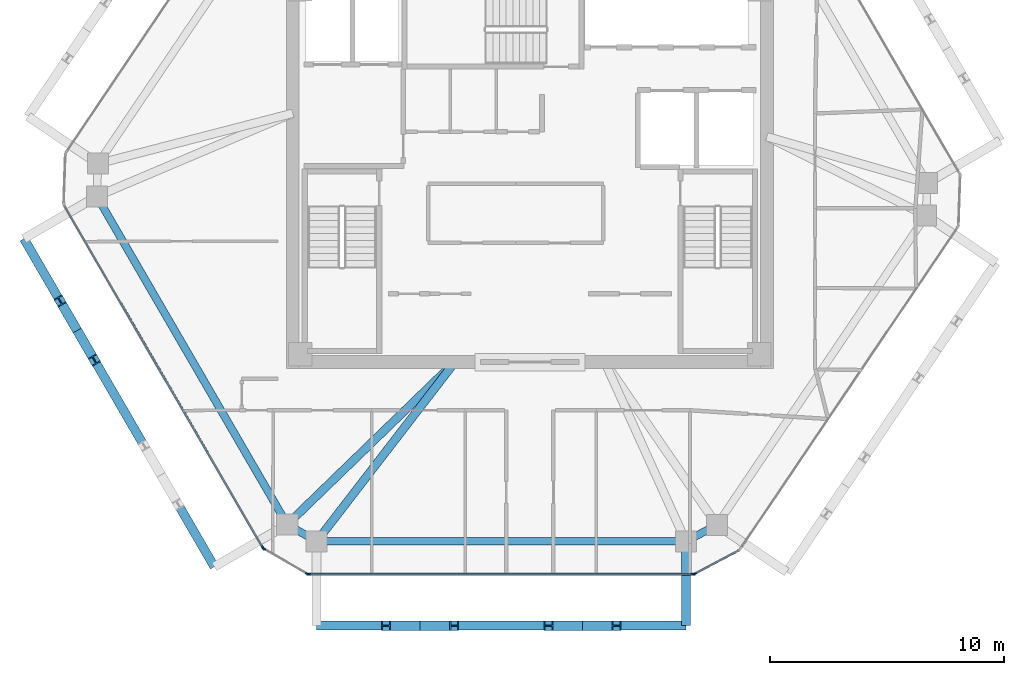
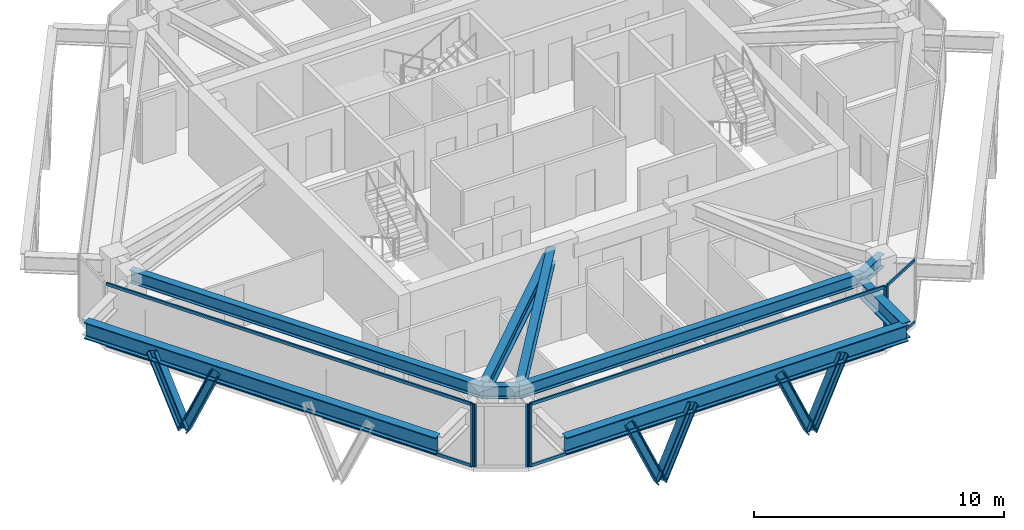
# One storey, part 2 of 11: 18 members, 9 beams, 4 elements without a shape of their own.
"""IFC4 building model written with IfcOpenShell, lengths in metres."""

from ifc_helpers import new_model, si_unit, direction, frame, origin, origin_2d, place, context, subcontext, project, spatial, rectangle, i_section, extrude, source, transform, mapped, material, layer, layer_set, material_profile, profile_set, type_object, type_shapes, element, aggregate, save


model = new_model("IFC4")

# Units and contexts
model_context = context("Model", 3, precision=1e-05, world=origin(), true_north=direction((0.0, 1.0)))
body_context = subcontext(model_context, "Body", "Model", "MODEL_VIEW")
ifc_project = project(units=[si_unit("LENGTHUNIT", "METRE"), si_unit("AREAUNIT", "SQUARE_METRE"), si_unit("VOLUMEUNIT", "CUBIC_METRE"), si_unit("PLANEANGLEUNIT", "RADIAN"), si_unit("MASSUNIT", "GRAM", prefix="KILO")], contexts=[model_context])

# Site, building, storey
site_placement = place(None, origin())
site = spatial("IfcSite", under=ifc_project, at=site_placement, CompositionType="ELEMENT")
building_placement = place(site_placement, origin())
building = spatial("IfcBuilding", under=site, at=building_placement, Name="Durnholm Broadcast Tower", CompositionType="ELEMENT")
storey_placement = place(building_placement, frame((0.0, 0.0, 244.699951171875)))
storey = spatial("IfcBuildingStorey", under=building, at=storey_placement, Name="L68", CompositionType="ELEMENT", Elevation=244.699951171875)

# Beams
ifc_material_1 = material(Name="Steel ASTM A992 Grade 50", Category="steel")
ifc_material_profile_1 = material_profile(ifc_material_1, i_section(OverallWidth=0.385009765625, OverallDepth=0.802978515625, WebThickness=0.023681640625, FlangeThickness=0.0419921875, FilletRadius=0.032958984375, at=origin_2d()), Name="W30X261")
ifc_profile_set_1 = profile_set([ifc_material_profile_1], Name="Steel ASTM A992 Grade 50")
beam_type_1 = type_object("IfcBeamType", Name="BM-EXO-TIE", PredefinedType="USERDEFINED", material=ifc_profile_set_1)
shared_shape_1 = source(origin(), body_context, "Body", "SweptSolid", [
    extrude(i_section(OverallWidth=0.385009765625, OverallDepth=0.802978515625, WebThickness=0.023681640625, FlangeThickness=0.0419921875, FilletRadius=0.032958984375, at=origin_2d()), origin(), (0.0, 0.0, 1.0), 3.4560546875),
])
beam_1_placement = place(storey_placement, frame((6.663818359375, -15.929931640625, 2.30859375), z_axis=(0.0, -1.0, 0.0), x_axis=(1.0, 0.0, 0.0)))
element("IfcBeam", 1, at=beam_1_placement, inside=storey, type_object=beam_type_1, Name="L68 exoskeleton stand-off tie bracket F1.2", ObjectType="GIRDER", PredefinedType="USERDEFINED", context=body_context, shape_type="MappedRepresentation", body=[
    mapped(shared_shape_1, transform((0.0, 0.0, 0.0), x_axis=(1.0, 0.0, 0.0), y_axis=(0.0, 1.0, 0.0), z_axis=(0.0, 0.0, 1.0), scale=1.0)),
])
ifc_material_profile_2 = material_profile(ifc_material_1, i_section(OverallWidth=0.3251953125, OverallDepth=0.6162109375, WebThickness=0.013916015625, FlangeThickness=0.021484375, FilletRadius=0.02783203125, at=origin_2d()), Name="W24X117")
ifc_profile_set_2 = profile_set([ifc_material_profile_2], Name="Steel ASTM A992 Grade 50")
beam_type_2 = type_object("IfcBeamType", Name="STL-SP-W24X117", PredefinedType="SPANDREL", material=ifc_profile_set_2)
shared_shape_2 = source(origin(), body_context, "Body", "SweptSolid", [
    extrude(i_section(OverallWidth=0.3251953125, OverallDepth=0.6162109375, WebThickness=0.013916015625, FlangeThickness=0.021484375, FilletRadius=0.02783203125, at=origin_2d()), origin(), (0.0, 0.0, 1.0), 16.202880859375),
])
beam_2_placement = place(storey_placement, frame((-10.361328125, -15.061767578125, 2.737060546875), z_axis=(-0.501948303381, 0.864897624423, 0.0), x_axis=(-0.864897624423, -0.501948303381, 0.0)))
element("IfcBeam", 2, at=beam_2_placement, inside=storey, type_object=beam_type_2, Name="L68 perimeter spandrel girder 01", PredefinedType="SPANDREL", context=body_context, shape_type="MappedRepresentation", body=[
    mapped(shared_shape_2, transform((0.0, 0.0, 0.0), x_axis=(1.0, 0.0, 0.0), y_axis=(0.0, 1.0, 0.0), z_axis=(0.0, 0.0, 1.0), scale=1.0)),
])
shared_shape_3 = source(origin(), body_context, "Body", "SweptSolid", [
    extrude(i_section(OverallWidth=0.3251953125, OverallDepth=0.6162109375, WebThickness=0.013916015625, FlangeThickness=0.021484375, FilletRadius=0.02783203125, at=origin_2d()), origin(), (0.0, 0.0, 1.0), 1.502685546875),
])
beam_3_placement = place(storey_placement, frame((7.990966796875, -15.081298828125, 2.737060546875), z_axis=(-0.883241909673, -0.468917614296, 0.0), x_axis=(0.468917614296, -0.883241909673, 0.0)))
element("IfcBeam", 3, at=beam_3_placement, inside=storey, type_object=beam_type_2, Name="L68 perimeter spandrel girder 10", PredefinedType="SPANDREL", context=body_context, shape_type="MappedRepresentation", body=[
    mapped(shared_shape_3, transform((0.0, 0.0, 0.0), x_axis=(1.0, 0.0, 0.0), y_axis=(0.0, 1.0, 0.0), z_axis=(0.0, 0.0, 1.0), scale=1.0)),
])
shared_shape_4 = source(origin(), body_context, "Body", "SweptSolid", [
    extrude(i_section(OverallWidth=0.3251953125, OverallDepth=0.6162109375, WebThickness=0.013916015625, FlangeThickness=0.021484375, FilletRadius=0.02783203125, at=origin_2d()), origin(), (0.0, 0.0, 1.0), 15.767578125),
])
beam_4_placement = place(storey_placement, frame((6.663818359375, -15.785888671875, 2.737060546875), z_axis=(-1.0, 0.0, 0.0), x_axis=(0.0, -1.0, 0.0)))
element("IfcBeam", 4, at=beam_4_placement, inside=storey, type_object=beam_type_2, Name="L68 perimeter spandrel girder 11", PredefinedType="SPANDREL", context=body_context, shape_type="MappedRepresentation", body=[
    mapped(shared_shape_4, transform((0.0, 0.0, 0.0), x_axis=(1.0, 0.0, 0.0), y_axis=(0.0, 1.0, 0.0), z_axis=(0.0, 0.0, 1.0), scale=1.0)),
])
shared_shape_5 = source(origin(), body_context, "Body", "SweptSolid", [
    extrude(i_section(OverallWidth=0.3251953125, OverallDepth=0.6162109375, WebThickness=0.013916015625, FlangeThickness=0.021484375, FilletRadius=0.02783203125, at=origin_2d()), origin(), (0.0, 0.0, 1.0), 1.451171875),
])
type_shapes(beam_type_2, [shared_shape_2, shared_shape_3, shared_shape_4, shared_shape_5])
beam_5_placement = place(storey_placement, frame((-9.103759765625, -15.785888671875, 2.737060546875), z_axis=(-0.866602615509, 0.498998904601, 0.0), x_axis=(-0.498998904601, -0.866602615509, 0.0)))
element("IfcBeam", 5, at=beam_5_placement, inside=storey, type_object=beam_type_2, Name="L68 perimeter spandrel girder 12", PredefinedType="SPANDREL", context=body_context, shape_type="MappedRepresentation", body=[
    mapped(shared_shape_5, transform((0.0, 0.0, 0.0), x_axis=(1.0, 0.0, 0.0), y_axis=(0.0, 1.0, 0.0), z_axis=(0.0, 0.0, 1.0), scale=1.0)),
])
shared_shape_6 = source(origin(), body_context, "Body", "SweptSolid", [
    extrude(i_section(OverallWidth=0.385009765625, OverallDepth=0.802978515625, WebThickness=0.023681640625, FlangeThickness=0.0419921875, FilletRadius=0.032958984375, at=origin_2d()), origin(), (0.0, 0.0, 1.0), 15.767578125),
])
beam_6_placement = place(storey_placement, frame((-9.103759765625, -19.385986328125, 2.30859375), z_axis=(1.0, 0.0, 0.0), x_axis=(0.0, 1.0, 0.0)))
element("IfcBeam", 6, at=beam_6_placement, inside=storey, type_object=beam_type_1, Name="L68 exoskeleton collector spandrel F1", PredefinedType="SPANDREL", context=body_context, shape_type="MappedRepresentation", body=[
    mapped(shared_shape_6, transform((0.0, 0.0, 0.0), x_axis=(1.0, 0.0, 0.0), y_axis=(0.0, 1.0, 0.0), z_axis=(0.0, 0.0, 1.0), scale=1.0)),
])
shared_shape_7 = source(origin(), body_context, "Body", "SweptSolid", [
    extrude(i_section(OverallWidth=0.385009765625, OverallDepth=0.802978515625, WebThickness=0.023681640625, FlangeThickness=0.0419921875, FilletRadius=0.032958984375, at=origin_2d()), origin(), (0.0, 0.0, 1.0), 16.20263671875),
])
type_shapes(beam_type_1, [shared_shape_1, shared_shape_6, shared_shape_7])
beam_7_placement = place(storey_placement, frame((-21.60791015625, -2.85498046875, 2.30859375), z_axis=(0.501943573333, -0.864900369516, 0.0), x_axis=(0.864900369516, 0.501943573333, 0.0)))
element("IfcBeam", 7, at=beam_7_placement, inside=storey, type_object=beam_type_1, Name="L68 exoskeleton collector spandrel F6", PredefinedType="SPANDREL", context=body_context, shape_type="MappedRepresentation", body=[
    mapped(shared_shape_7, transform((0.0, 0.0, 0.0), x_axis=(1.0, 0.0, 0.0), y_axis=(0.0, 1.0, 0.0), z_axis=(0.0, 0.0, 1.0), scale=1.0)),
])
ifc_material_profile_3 = material_profile(ifc_material_1, i_section(OverallWidth=0.3564453125, OverallDepth=0.713623046875, WebThickness=0.01904296875, FlangeThickness=0.033935546875, FilletRadius=0.030517578125, at=origin_2d()), Name="W27X194")
ifc_profile_set_3 = profile_set([ifc_material_profile_3], Name="Steel ASTM A992 Grade 50")
beam_type_3 = type_object("IfcBeamType", Name="STL-GR-W27X194", PredefinedType="USERDEFINED", material=ifc_profile_set_3)
shared_shape_8 = source(origin(), body_context, "Body", "SweptSolid", [
    extrude(i_section(OverallWidth=0.3564453125, OverallDepth=0.713623046875, WebThickness=0.01904296875, FlangeThickness=0.033935546875, FilletRadius=0.030517578125, at=origin_2d()), origin(), (0.0, 0.0, 1.0), 9.97021484375),
])
beam_8_placement = place(storey_placement, frame((-3.199951171875, -8.125, 2.688232421875), z_axis=(-0.718281140352, -0.695752975857, 0.0), x_axis=(0.695752975857, -0.718281140352, 0.0)))
element("IfcBeam", 8, at=beam_8_placement, inside=storey, type_object=beam_type_3, Name="L68 radial primary floor girder 01", ObjectType="GIRDER", PredefinedType="USERDEFINED", context=body_context, shape_type="MappedRepresentation", body=[
    mapped(shared_shape_8, transform((0.0, 0.0, 0.0), x_axis=(1.0, 0.0, 0.0), y_axis=(0.0, 1.0, 0.0), z_axis=(0.0, 0.0, 1.0), scale=1.0)),
])
shared_shape_9 = source(origin(), body_context, "Body", "SweptSolid", [
    extrude(i_section(OverallWidth=0.3564453125, OverallDepth=0.713623046875, WebThickness=0.01904296875, FlangeThickness=0.033935546875, FilletRadius=0.030517578125, at=origin_2d()), origin(), (0.0, 0.0, 1.0), 9.671875),
])
type_shapes(beam_type_3, [shared_shape_8, shared_shape_9])
beam_9_placement = place(storey_placement, frame((-3.199951171875, -8.125, 2.688232421875), z_axis=(-0.610413181287, -0.792083169945, 0.0), x_axis=(0.792083169945, -0.610413181287, 0.0)))
element("IfcBeam", 9, at=beam_9_placement, inside=storey, type_object=beam_type_3, Name="L68 radial primary floor girder 12", ObjectType="GIRDER", PredefinedType="USERDEFINED", context=body_context, shape_type="MappedRepresentation", body=[
    mapped(shared_shape_9, transform((0.0, 0.0, 0.0), x_axis=(1.0, 0.0, 0.0), y_axis=(0.0, 1.0, 0.0), z_axis=(0.0, 0.0, 1.0), scale=1.0)),
])

# Members
ifc_material_2 = material(Name="Steel ASTM A913 Grade 65", Category="steel")
ifc_material_profile_4 = material_profile(ifc_material_2, i_section(OverallWidth=0.40625, OverallDepth=0.416015625, WebThickness=0.02978515625, FlangeThickness=0.048095703125, FilletRadius=0.030517578125, at=origin_2d()), Name="W14X257")
ifc_profile_set_4 = profile_set([ifc_material_profile_4], Name="Steel ASTM A913 Grade 65")
member_type_1 = type_object("IfcMemberType", Name="STL-DG-W14X257", PredefinedType="BRACE", material=ifc_profile_set_4)
shared_shape_10 = source(origin(), body_context, "Body", "SweptSolid", [
    extrude(i_section(OverallWidth=0.40625, OverallDepth=0.416015625, WebThickness=0.02978515625, FlangeThickness=0.048095703125, FilletRadius=0.030517578125, at=origin_2d()), origin(), (0.0, 0.0, 1.0), 3.60791015625),
])
for number, where, z_axis, x_axis, name in (
    (10, (-4.688720703125, -19.385986328125, -0.991455078125), (-0.404184914295, 0.0, 0.914677295584), (0.0, -1.0, 0.0), "L68 stand-off diagrid brace F1.D1.1"),
    (11, (2.248779296875, -19.385986328125, -0.991455078125), (-0.404184914295, 0.0, 0.914677295584), (0.0, -1.0, 0.0), "L68 stand-off diagrid brace F1.D2.1"),
    (12, (2.248779296875, -19.385986328125, -0.991455078125), (0.404184914295, 0.0, 0.914677295584), (0.0, 1.0, 0.0), "L68 stand-off diagrid brace F1.D2.2"),
    (13, (-19.330810546875, -6.77880859375, -0.991455078125), (-0.202806304578, 0.349582038522, 0.914692298626), (-0.864978863669, -0.501808295473, 0.0), "L68 stand-off diagrid brace F6.D1.1"),
    (14, (-19.330810546875, -6.77880859375, -0.991455078125), (0.202936072208, -0.349572440488, 0.914667185072), (0.864833498681, 0.50205878098, 0.0), "L68 stand-off diagrid brace F6.D1.2"),
):
    element("IfcMember", number, at=place(storey_placement, frame(where, z_axis=z_axis, x_axis=x_axis)), inside=storey, type_object=member_type_1, Name=name, PredefinedType="BRACE", context=body_context, shape_type="MappedRepresentation", body=[
        mapped(shared_shape_10, transform((0.0, 0.0, 0.0), x_axis=(1.0, 0.0, 0.0), y_axis=(0.0, 1.0, 0.0), z_axis=(0.0, 0.0, 1.0), scale=1.0)),
    ])
shared_shape_11 = source(origin(), body_context, "Body", "SweptSolid", [
    extrude(i_section(OverallWidth=0.40625, OverallDepth=0.416015625, WebThickness=0.02978515625, FlangeThickness=0.048095703125, FilletRadius=0.030517578125, at=origin_2d()), origin(), (0.0, 0.0, 1.0), 3.607666015625),
])
type_shapes(member_type_1, [shared_shape_10, shared_shape_11])
member_1_placement = place(storey_placement, frame((-4.688720703125, -19.385986328125, -0.991455078125), z_axis=(0.404128298032, 0.0, 0.914702311536), x_axis=(0.0, 1.0, 0.0)))
element("IfcMember", 15, at=member_1_placement, inside=storey, type_object=member_type_1, Name="L68 stand-off diagrid brace F1.D1.2", PredefinedType="BRACE", context=body_context, shape_type="MappedRepresentation", body=[
    mapped(shared_shape_11, transform((0.0, 0.0, 0.0), x_axis=(1.0, 0.0, 0.0), y_axis=(0.0, 1.0, 0.0), z_axis=(0.0, 0.0, 1.0), scale=1.0)),
])

# Curtain wall, members
ifc_material_3 = material(Name="Aluminium and Solar Control IGU", Category="aluminium")
ifc_layer_1 = layer(ifc_material_3, 0.1650390625)
ifc_layer_set_1 = layer_set([ifc_layer_1], Name="Aluminium and Solar Control IGU")
curtain_wall_type_1 = type_object("IfcCurtainWallType", Name="CW-SYS-5", PredefinedType="NOTDEFINED", material=ifc_layer_set_1)
curtain_wall_1_placement = place(storey_placement, origin())
curtain_wall_1 = element("IfcCurtainWall", 16, at=curtain_wall_1_placement, inside=storey, type_object=curtain_wall_type_1, Name="L68 curtain wall CW-CORNER CW-L68-CRN-09", PredefinedType="NOTDEFINED")
ifc_material_4 = material(Name="Aluminium 6063-T6", Category="aluminium")
ifc_material_profile_5 = material_profile(ifc_material_4, rectangle(XDim=0.06494140625, YDim=0.1298828125, at=origin_2d()), Name="CWT65X130")
ifc_profile_set_5 = profile_set([ifc_material_profile_5], Name="Aluminium 6063-T6")
member_type_2 = type_object("IfcMemberType", Name="CW-SYS-5-TRN", PredefinedType="USERDEFINED", material=ifc_profile_set_5)
shared_shape_12 = source(origin(), body_context, "Body", "SweptSolid", [
    extrude(rectangle(XDim=0.06494140625, YDim=0.1298828125, at=origin_2d()), origin(), (0.0, 0.0, 1.0), 2.070068359375),
])
type_shapes(member_type_2, [shared_shape_12])
member_2_placement = place(storey_placement, frame((8.89794921875, -16.1845703125, 0.032470703125), z_axis=(-0.883164581026, -0.469063239682, 0.0), x_axis=(0.469063239682, -0.883164581026, 0.0)))
member_2 = element("IfcMember", 17, at=member_2_placement, type_object=member_type_2, Name="CW-CORNER transom 1.1", ObjectType="TRANSOM", PredefinedType="USERDEFINED", context=body_context, shape_type="MappedRepresentation", body=[
    mapped(shared_shape_12, transform((0.0, 0.0, 0.0), x_axis=(1.0, 0.0, 0.0), y_axis=(0.0, 1.0, 0.0), z_axis=(0.0, 0.0, 1.0), scale=1.0)),
])
member_3_placement = place(storey_placement, frame((8.89794921875, -16.1845703125, 3.027587890625), z_axis=(-0.883164581026, -0.469063239682, 0.0), x_axis=(0.469063239682, -0.883164581026, 0.0)))
member_3 = element("IfcMember", 18, at=member_3_placement, type_object=member_type_2, Name="CW-CORNER transom 1.2", ObjectType="TRANSOM", PredefinedType="USERDEFINED", context=body_context, shape_type="MappedRepresentation", body=[
    mapped(shared_shape_12, transform((0.0, 0.0, 0.0), x_axis=(1.0, 0.0, 0.0), y_axis=(0.0, 1.0, 0.0), z_axis=(0.0, 0.0, 1.0), scale=1.0)),
])
ifc_material_profile_6 = material_profile(ifc_material_4, rectangle(XDim=0.06494140625, YDim=0.1650390625, at=origin_2d()), Name="CWM65X165")
ifc_profile_set_6 = profile_set([ifc_material_profile_6], Name="Aluminium 6063-T6")
member_type_3 = type_object("IfcMemberType", Name="CW-SYS-5-MUL", PredefinedType="MULLION", material=ifc_profile_set_6)
shared_shape_13 = source(origin(), body_context, "Body", "SweptSolid", [
    extrude(rectangle(XDim=0.06494140625, YDim=0.1650390625, at=origin_2d()), origin(), (0.0, 0.0, 1.0), 3.06005859375),
])
type_shapes(member_type_3, [shared_shape_13])
member_4_placement = place(storey_placement, frame((7.041015625, -17.170654296875, 0.0), z_axis=(0.0, 0.0, 1.0), x_axis=(0.469006771575, -0.883194569853, 0.0)))
member_4 = element("IfcMember", 19, at=member_4_placement, type_object=member_type_3, Name="CW-CORNER mullion 2", PredefinedType="MULLION", context=body_context, shape_type="MappedRepresentation", body=[
    mapped(shared_shape_13, transform((0.0, 0.0, 0.0), x_axis=(1.0, 0.0, 0.0), y_axis=(0.0, 1.0, 0.0), z_axis=(0.0, 0.0, 1.0), scale=1.0)),
])
aggregate(curtain_wall_1, [member_4, member_2, member_3])

curtain_wall_2_placement = place(storey_placement, origin())
curtain_wall_2 = element("IfcCurtainWall", 20, at=curtain_wall_2_placement, inside=storey, type_object=curtain_wall_type_1, Name="L68 curtain wall CW-CORNER CW-L68-CRN-11", PredefinedType="NOTDEFINED")
member_5_placement = place(storey_placement, frame((-9.506103515625, -17.169677734375, 0.0), z_axis=(0.0, 0.0, 1.0), x_axis=(-0.499058582333, -0.866568249707, 0.0)))
member_5 = element("IfcMember", 21, at=member_5_placement, type_object=member_type_3, Name="CW-CORNER mullion 1", PredefinedType="MULLION", context=body_context, shape_type="MappedRepresentation", body=[
    mapped(shared_shape_13, transform((0.0, 0.0, 0.0), x_axis=(1.0, 0.0, 0.0), y_axis=(0.0, 1.0, 0.0), z_axis=(0.0, 0.0, 1.0), scale=1.0)),
])
member_6_placement = place(storey_placement, frame((-11.356201171875, -16.104248046875, 0.0), z_axis=(0.0, 0.0, 1.0), x_axis=(-0.499058582333, -0.866568249707, 0.0)))
member_6 = element("IfcMember", 22, at=member_6_placement, type_object=member_type_3, Name="CW-CORNER mullion 2", PredefinedType="MULLION", context=body_context, shape_type="MappedRepresentation", body=[
    mapped(shared_shape_13, transform((0.0, 0.0, 0.0), x_axis=(1.0, 0.0, 0.0), y_axis=(0.0, 1.0, 0.0), z_axis=(0.0, 0.0, 1.0), scale=1.0)),
])
aggregate(curtain_wall_2, [member_5, member_6])

ifc_layer_2 = layer(ifc_material_3, 0.18994140625)
ifc_layer_set_2 = layer_set([ifc_layer_2], Name="Aluminium and Solar Control IGU")
curtain_wall_type_2 = type_object("IfcCurtainWallType", Name="CW-SYS-4", PredefinedType="NOTDEFINED", material=ifc_layer_set_2)
curtain_wall_3_placement = place(storey_placement, origin())
curtain_wall_3 = element("IfcCurtainWall", 23, at=curtain_wall_3_placement, inside=storey, type_object=curtain_wall_type_2, Name="L68 curtain wall CW-Z34-VIS CW-L68-F10", PredefinedType="NOTDEFINED")
ifc_material_profile_7 = material_profile(ifc_material_4, rectangle(XDim=0.070068359375, YDim=0.18994140625, at=origin_2d()), Name="CWM70X190")
ifc_profile_set_7 = profile_set([ifc_material_profile_7], Name="Aluminium 6063-T6")
member_type_4 = type_object("IfcMemberType", Name="CW-SYS-4-MUL", PredefinedType="MULLION", material=ifc_profile_set_7)
shared_shape_14 = source(origin(), body_context, "Body", "SweptSolid", [
    extrude(rectangle(XDim=0.070068359375, YDim=0.18994140625, at=origin_2d()), origin(), (0.0, 0.0, 1.0), 3.06005859375),
])
type_shapes(member_type_4, [shared_shape_14])
member_7_placement = place(storey_placement, frame((6.977294921875, -17.18603515625, 0.0), z_axis=(0.0, 0.0, 1.0), x_axis=(0.0, -1.0, 0.0)))
member_7 = element("IfcMember", 24, at=member_7_placement, type_object=member_type_4, Name="CW-Z34-VIS mullion 1", PredefinedType="MULLION", context=body_context, shape_type="MappedRepresentation", body=[
    mapped(shared_shape_14, transform((0.0, 0.0, 0.0), x_axis=(1.0, 0.0, 0.0), y_axis=(0.0, 1.0, 0.0), z_axis=(0.0, 0.0, 1.0), scale=1.0)),
])
member_8_placement = place(storey_placement, frame((-9.443115234375, -17.18603515625, 0.0), z_axis=(0.0, 0.0, 1.0), x_axis=(0.0, -1.0, 0.0)))
member_8 = element("IfcMember", 25, at=member_8_placement, type_object=member_type_4, Name="CW-Z34-VIS mullion 2", PredefinedType="MULLION", context=body_context, shape_type="MappedRepresentation", body=[
    mapped(shared_shape_14, transform((0.0, 0.0, 0.0), x_axis=(1.0, 0.0, 0.0), y_axis=(0.0, 1.0, 0.0), z_axis=(0.0, 0.0, 1.0), scale=1.0)),
])

# Curtain wall, member
curtain_wall_4_placement = place(storey_placement, origin())
curtain_wall_4 = element("IfcCurtainWall", 26, at=curtain_wall_4_placement, inside=storey, type_object=curtain_wall_type_2, Name="L68 curtain wall CW-Z34-VIS CW-L68-F12", PredefinedType="NOTDEFINED")
member_9_placement = place(storey_placement, frame((-11.40185546875, -16.057861328125, 0.0), z_axis=(0.0, 0.0, 1.0), x_axis=(-0.864899883824, -0.50194441023, 0.0)))
member_9 = element("IfcMember", 27, at=member_9_placement, type_object=member_type_4, Name="CW-Z34-VIS mullion 1", PredefinedType="MULLION", context=body_context, shape_type="MappedRepresentation", body=[
    mapped(shared_shape_14, transform((0.0, 0.0, 0.0), x_axis=(1.0, 0.0, 0.0), y_axis=(0.0, 1.0, 0.0), z_axis=(0.0, 0.0, 1.0), scale=1.0)),
])

# Member
ifc_material_profile_8 = material_profile(ifc_material_4, rectangle(XDim=0.070068359375, YDim=0.14990234375, at=origin_2d()), Name="CWT70X150")
ifc_profile_set_8 = profile_set([ifc_material_profile_8], Name="Aluminium 6063-T6")
member_type_5 = type_object("IfcMemberType", Name="CW-SYS-4-TRN", PredefinedType="USERDEFINED", material=ifc_profile_set_8)
shared_shape_15 = source(origin(), body_context, "Body", "SweptSolid", [
    extrude(rectangle(XDim=0.070068359375, YDim=0.14990234375, at=origin_2d()), origin(), (0.0, 0.0, 1.0), 16.350341796875),
])
member_10_placement = place(storey_placement, frame((6.9423828125, -17.18603515625, 0.03515625), z_axis=(-1.0, 0.0, 0.0), x_axis=(0.0, -1.0, 0.0)))
member_10 = element("IfcMember", 28, at=member_10_placement, type_object=member_type_5, Name="CW-Z34-VIS transom 1.1", ObjectType="TRANSOM", PredefinedType="USERDEFINED", context=body_context, shape_type="MappedRepresentation", body=[
    mapped(shared_shape_15, transform((0.0, 0.0, 0.0), x_axis=(1.0, 0.0, 0.0), y_axis=(0.0, 1.0, 0.0), z_axis=(0.0, 0.0, 1.0), scale=1.0)),
])

member_11_placement = place(storey_placement, frame((6.9423828125, -17.18603515625, 3.025146484375), z_axis=(-1.0, 0.0, 0.0), x_axis=(0.0, -1.0, 0.0)))
member_11 = element("IfcMember", 29, at=member_11_placement, type_object=member_type_5, Name="CW-Z34-VIS transom 1.2", ObjectType="TRANSOM", PredefinedType="USERDEFINED", context=body_context, shape_type="MappedRepresentation", body=[
    mapped(shared_shape_15, transform((0.0, 0.0, 0.0), x_axis=(1.0, 0.0, 0.0), y_axis=(0.0, 1.0, 0.0), z_axis=(0.0, 0.0, 1.0), scale=1.0)),
])

aggregate(curtain_wall_3, [member_7, member_8, member_10, member_11])

shared_shape_16 = source(origin(), body_context, "Body", "SweptSolid", [
    extrude(rectangle(XDim=0.070068359375, YDim=0.14990234375, at=origin_2d()), origin(), (0.0, 0.0, 1.0), 16.83984375),
])
type_shapes(member_type_5, [shared_shape_15, shared_shape_16])
member_12_placement = place(storey_placement, frame((-11.41943359375, -16.027587890625, 0.03515625), z_axis=(-0.501945239029, 0.86489940283, 0.0), x_axis=(-0.86489940283, -0.501945239029, 0.0)))
member_12 = element("IfcMember", 30, at=member_12_placement, type_object=member_type_5, Name="CW-Z34-VIS transom 1.1", ObjectType="TRANSOM", PredefinedType="USERDEFINED", context=body_context, shape_type="MappedRepresentation", body=[
    mapped(shared_shape_16, transform((0.0, 0.0, 0.0), x_axis=(1.0, 0.0, 0.0), y_axis=(0.0, 1.0, 0.0), z_axis=(0.0, 0.0, 1.0), scale=1.0)),
])

member_13_placement = place(storey_placement, frame((-11.41943359375, -16.027587890625, 3.025146484375), z_axis=(-0.501945239029, 0.86489940283, 0.0), x_axis=(-0.86489940283, -0.501945239029, 0.0)))
member_13 = element("IfcMember", 31, at=member_13_placement, type_object=member_type_5, Name="CW-Z34-VIS transom 1.2", ObjectType="TRANSOM", PredefinedType="USERDEFINED", context=body_context, shape_type="MappedRepresentation", body=[
    mapped(shared_shape_16, transform((0.0, 0.0, 0.0), x_axis=(1.0, 0.0, 0.0), y_axis=(0.0, 1.0, 0.0), z_axis=(0.0, 0.0, 1.0), scale=1.0)),
])

aggregate(curtain_wall_4, [member_9, member_12, member_13])

save(model, "model.ifc")
